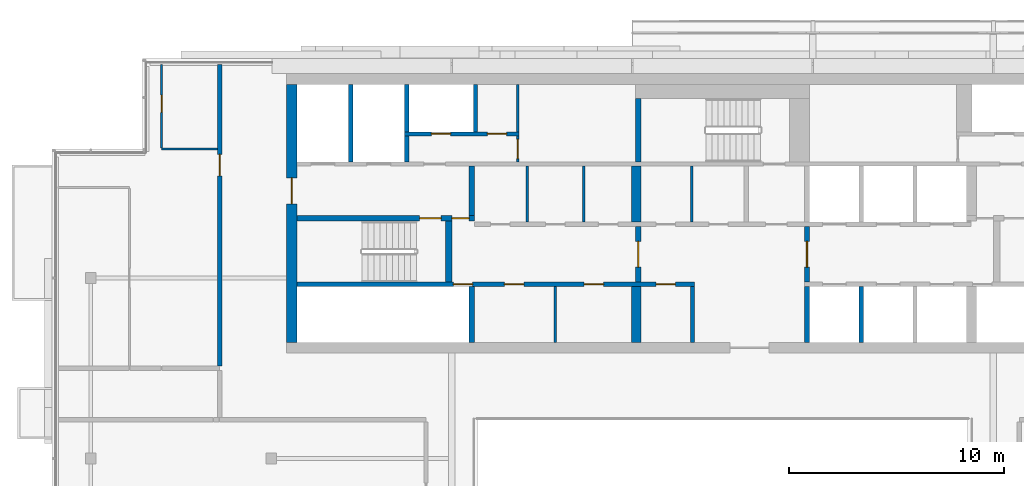
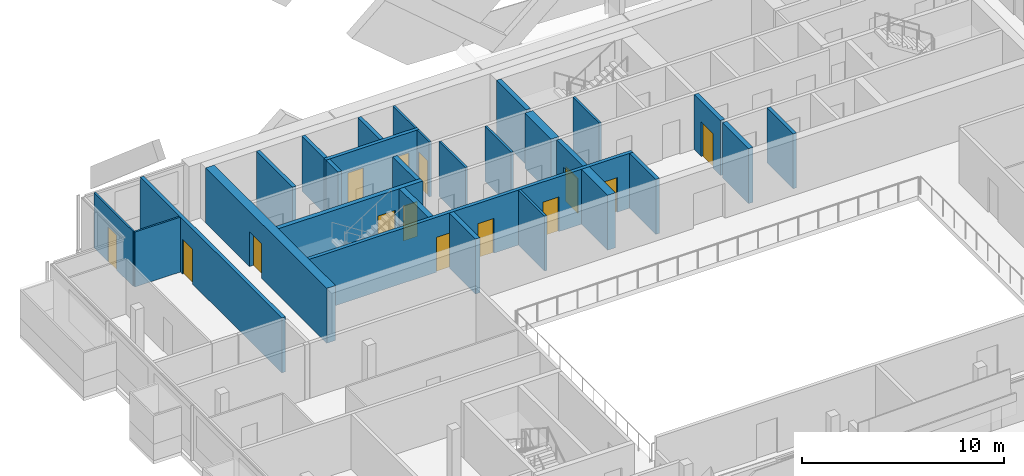
# One storey, part 13 of 22: 28 walls, 14 doors, 14 openings.
"""IFC4 building model written with IfcOpenShell, lengths in metres."""

from ifc_helpers import new_model, si_unit, direction, frame, frame_2d, origin, place, context, subcontext, project, spatial, rectangle, extrude, material, layer, layer_set, type_object, element, fill, save


model = new_model("IFC4")

# Units and contexts
model_context = context("Model", 3, precision=1e-05, world=origin(), true_north=direction((0.0, 1.0)))
body_context = subcontext(model_context, "Body", "Model", "MODEL_VIEW")
ifc_project = project(units=[si_unit("LENGTHUNIT", "METRE"), si_unit("AREAUNIT", "SQUARE_METRE"), si_unit("VOLUMEUNIT", "CUBIC_METRE"), si_unit("PLANEANGLEUNIT", "RADIAN"), si_unit("MASSUNIT", "GRAM", prefix="KILO")], contexts=[model_context])

# Site, building, storey
site_placement = place(None, origin())
site = spatial("IfcSite", under=ifc_project, at=site_placement, CompositionType="ELEMENT")
building_placement = place(site_placement, origin())
building = spatial("IfcBuilding", under=site, at=building_placement, Name="Saffron Gate Tower", CompositionType="ELEMENT")
storey_placement = place(building_placement, frame((0.0, 0.0, 285.14990234375)))
storey = spatial("IfcBuildingStorey", under=building, at=storey_placement, Name="L69", CompositionType="ELEMENT", Elevation=285.14990234375)

# Wall
ifc_material_1 = material(Name="Gypsum board partition on steel studs", Category="steel")
ifc_layer_1 = layer(ifc_material_1, 0.199951171875)
ifc_layer_set_1 = layer_set([ifc_layer_1], Name="CW10 Core partition 200")
wall_type_1 = type_object("IfcWallType", Name="CW10 Core partition 200", PredefinedType="PARTITIONING", material=ifc_layer_set_1)
wall_1_placement = place(storey_placement, frame((86.199951171875, 62.39990234375, 0.0), z_axis=(0.0, 0.0, 1.0), x_axis=(0.0, 1.0, 0.0)))
element("IfcWall", 1, at=wall_1_placement, inside=storey, type_object=wall_type_1, Name="Wall CW10-L69-8", PredefinedType="PARTITIONING", context=body_context, shape_type="SweptSolid", body=[
    extrude(rectangle(XDim=2.60009765625, YDim=0.199951171875, at=frame_2d((1.300048828125, 0.0))), origin(), (0.0, 0.0, 1.0), 3.320068359375),
])

# Wall, opening, door
ifc_material_2 = material(Name="Concrete C50", Category="concrete")
ifc_layer_2 = layer(ifc_material_2, 0.5)
ifc_layer_set_2 = layer_set([ifc_layer_2], Name="CW22 RC core wall 500 C50")
wall_type_2 = type_object("IfcWallType", Name="CW22 RC core wall 500 C50", PredefinedType="SOLIDWALL", material=ifc_layer_set_2)
wall_2_placement = place(storey_placement, frame((67.550048828125, 62.39990234375, 0.0), z_axis=(0.0, 0.0, 1.0), x_axis=(0.0, 1.0, 0.0)))
wall_2 = element("IfcWall", 2, at=wall_2_placement, inside=storey, type_object=wall_type_2, Name="Wall CW22-L69-3", PredefinedType="SOLIDWALL", context=body_context, shape_type="SweptSolid", body=[
    extrude(rectangle(XDim=12.0, YDim=0.5, at=frame_2d((6.0, 0.0))), origin(), (0.0, 0.0, 1.0), 3.320068359375),
])
opening_1_placement = place(wall_2_placement, frame((6.449951171875, 0.0, 0.0)))
opening_1 = element("IfcOpeningElement", 3, at=opening_1_placement, cuts=wall_2, Name="Opening CR-10", PredefinedType="OPENING", context=body_context, shape_type="SweptSolid", body=[
    extrude(rectangle(XDim=1.199951171875, YDim=2.10009765625, at=frame_2d((0.60009765625, 1.050048828125))), frame((0.0, 0.260009765625, 0.0), z_axis=(0.0, -1.0, 0.0), x_axis=(1.0, 0.0, 0.0)), (0.0, 0.0, 1.0), 0.52001953125),
])
ifc_material_3 = material(Name="Steel fire door set", Category="steel")
door_type_1 = type_object("IfcDoorType", Name="CD7 Core entrance door 1200x2100 EI 120", OperationType="NOTDEFINED", PredefinedType="DOOR", material=ifc_material_3)
door_1_placement = place(opening_1_placement, origin())
door_1 = element("IfcDoor", 4, at=door_1_placement, inside=storey, type_object=door_type_1, Name="DOOR CR-10", OperationType="SINGLE_SWING_LEFT", OverallHeight=2.10009765625, OverallWidth=1.199951171875, PredefinedType="DOOR", context=body_context, shape_type="SweptSolid", body=[
    extrude(rectangle(XDim=1.199951171875, YDim=2.10009765625, at=frame_2d((0.60009765625, 1.050048828125))), frame((0.0, 0.02490234375, 0.0), z_axis=(0.0, -1.0, 0.0), x_axis=(1.0, 0.0, 0.0)), (0.0, 0.0, 1.0), 0.050048828125),
])
fill(opening_1, door_1)

# Walls
ifc_layer_3 = layer(ifc_material_2, 0.25)
ifc_layer_set_3 = layer_set([ifc_layer_3], Name="CW23 RC core wall 250 C50")
wall_type_3 = type_object("IfcWallType", Name="CW23 RC core wall 250 C50", PredefinedType="SOLIDWALL", material=ifc_layer_set_3)
for number, where, z_axis, x_axis, name in (
    (5, (75.925048828125, 62.39990234375, 0.0), (0.0, 0.0, 1.0), (0.0, 1.0, 0.0), "Wall CW23-L69-5"),
    (6, (91.52490234375, 62.39990234375, 0.0), (0.0, 0.0, 1.0), (0.0, 1.0, 0.0), "Wall CW23-L69-9"),
):
    element("IfcWall", number, at=place(storey_placement, frame(where, z_axis=z_axis, x_axis=x_axis)), inside=storey, type_object=wall_type_3, Name=name, PredefinedType="SOLIDWALL", context=body_context, shape_type="SweptSolid", body=[
        extrude(rectangle(XDim=2.60009765625, YDim=0.25, at=frame_2d((1.300048828125, 0.0))), origin(), (0.0, 0.0, 1.0), 3.320068359375),
    ])

# Wall, opening, door
wall_3_placement = place(storey_placement, frame((83.675048828125, 65.199951171875, 0.0), z_axis=(0.0, 0.0, 1.0), x_axis=(0.0, 1.0, 0.0)))
wall_3 = element("IfcWall", 7, at=wall_3_placement, inside=storey, type_object=wall_type_3, Name="Wall CW23-L69-16", PredefinedType="SOLIDWALL", context=body_context, shape_type="SweptSolid", body=[
    extrude(rectangle(XDim=2.60009765625, YDim=0.25, at=frame_2d((1.300048828125, 0.0))), origin(), (0.0, 0.0, 1.0), 3.320068359375),
])
opening_2_placement = place(wall_3_placement, frame((0.699951171875, 0.0, 0.0)))
opening_2 = element("IfcOpeningElement", 8, at=opening_2_placement, cuts=wall_3, Name="Opening CR-07", PredefinedType="OPENING", context=body_context, shape_type="SweptSolid", body=[
    extrude(rectangle(XDim=1.199951171875, YDim=2.10009765625, at=frame_2d((0.60009765625, 1.050048828125))), frame((0.0, 0.135009765625, 0.0), z_axis=(0.0, -1.0, 0.0), x_axis=(1.0, 0.0, 0.0)), (0.0, 0.0, 1.0), 0.27001953125),
])
door_type_2 = type_object("IfcDoorType", Name="CD3 Lobby door 1200x2100 EI 120", OperationType="NOTDEFINED", PredefinedType="DOOR", material=ifc_material_3)
door_2_placement = place(opening_2_placement, origin())
door_2 = element("IfcDoor", 9, at=door_2_placement, inside=storey, type_object=door_type_2, Name="DOOR CR-07", OperationType="SINGLE_SWING_RIGHT", OverallHeight=2.10009765625, OverallWidth=1.199951171875, PredefinedType="DOOR", context=body_context, shape_type="SweptSolid", body=[
    extrude(rectangle(XDim=1.199951171875, YDim=2.10009765625, at=frame_2d((0.60009765625, 1.050048828125))), frame((0.0, 0.02490234375, 0.0), z_axis=(0.0, -1.0, 0.0), x_axis=(1.0, 0.0, 0.0)), (0.0, 0.0, 1.0), 0.050048828125),
])
fill(opening_2, door_2)

wall_4_placement = place(storey_placement, frame((91.52490234375, 65.199951171875, 0.0), z_axis=(0.0, 0.0, 1.0), x_axis=(0.0, 1.0, 0.0)))
wall_4 = element("IfcWall", 10, at=wall_4_placement, inside=storey, type_object=wall_type_3, Name="Wall CW23-L69-17", PredefinedType="SOLIDWALL", context=body_context, shape_type="SweptSolid", body=[
    extrude(rectangle(XDim=2.60009765625, YDim=0.25, at=frame_2d((1.300048828125, 0.0))), origin(), (0.0, 0.0, 1.0), 3.320068359375),
])
opening_3_placement = place(wall_4_placement, frame((0.699951171875, 0.0, 0.0)))
opening_3 = element("IfcOpeningElement", 11, at=opening_3_placement, cuts=wall_4, Name="Opening CR-01", PredefinedType="OPENING", context=body_context, shape_type="SweptSolid", body=[
    extrude(rectangle(XDim=1.199951171875, YDim=2.10009765625, at=frame_2d((0.60009765625, 1.050048828125))), frame((0.0, 0.135009765625, 0.0), z_axis=(0.0, -1.0, 0.0), x_axis=(1.0, 0.0, 0.0)), (0.0, 0.0, 1.0), 0.27001953125),
])
door_3_placement = place(opening_3_placement, origin())
door_3 = element("IfcDoor", 12, at=door_3_placement, inside=storey, type_object=door_type_2, Name="DOOR CR-01", OperationType="SINGLE_SWING_RIGHT", OverallHeight=2.10009765625, OverallWidth=1.199951171875, PredefinedType="DOOR", context=body_context, shape_type="SweptSolid", body=[
    extrude(rectangle(XDim=1.199951171875, YDim=2.10009765625, at=frame_2d((0.60009765625, 1.050048828125))), frame((0.0, 0.02490234375, 0.0), z_axis=(0.0, -1.0, 0.0), x_axis=(1.0, 0.0, 0.0)), (0.0, 0.0, 1.0), 0.050048828125),
])
fill(opening_3, door_3)

# Wall, openings, doors
wall_5_placement = place(storey_placement, frame((67.800048828125, 68.175048828125, 0.0), z_axis=(0.0, 0.0, 1.0), x_axis=(1.0, 0.0, 0.0)))
wall_5 = element("IfcWall", 13, at=wall_5_placement, inside=storey, type_object=wall_type_3, Name="Wall CW23-L69-29", PredefinedType="SOLIDWALL", context=body_context, shape_type="SweptSolid", body=[
    extrude(rectangle(XDim=8.25, YDim=0.25, at=frame_2d((4.125, 0.0))), origin(), (0.0, 0.0, 1.0), 3.320068359375),
])
opening_4_placement = place(wall_5_placement, frame((5.699951171875, 0.0, 0.0)))
opening_4 = element("IfcOpeningElement", 14, at=opening_4_placement, cuts=wall_5, Name="Opening CR-15", PredefinedType="OPENING", context=body_context, shape_type="SweptSolid", body=[
    extrude(rectangle(XDim=1.0, YDim=2.10009765625, at=frame_2d((0.5, 1.050048828125))), frame((0.0, 0.135009765625, 0.0), z_axis=(0.0, -1.0, 0.0), x_axis=(1.0, 0.0, 0.0)), (0.0, 0.0, 1.0), 0.27001953125),
])
opening_5_placement = place(wall_5_placement, frame((7.199951171875, 0.0, 0.0)))
opening_5 = element("IfcOpeningElement", 15, at=opening_5_placement, cuts=wall_5, Name="Opening CR-06", PredefinedType="OPENING", context=body_context, shape_type="SweptSolid", body=[
    extrude(rectangle(XDim=0.800048828125, YDim=2.10009765625, at=frame_2d((0.39990234375, 1.050048828125))), frame((0.0, 0.135009765625, 0.0), z_axis=(0.0, -1.0, 0.0), x_axis=(1.0, 0.0, 0.0)), (0.0, 0.0, 1.0), 0.27001953125),
])
door_type_3 = type_object("IfcDoorType", Name="CD5 Stair door 1000x2100 EI 120", OperationType="NOTDEFINED", PredefinedType="DOOR", material=ifc_material_3)
door_4_placement = place(opening_4_placement, origin())
door_4 = element("IfcDoor", 16, at=door_4_placement, inside=storey, type_object=door_type_3, Name="DOOR CR-15", OperationType="SINGLE_SWING_RIGHT", OverallHeight=2.10009765625, OverallWidth=1.0, PredefinedType="DOOR", context=body_context, shape_type="SweptSolid", body=[
    extrude(rectangle(XDim=1.0, YDim=2.10009765625, at=frame_2d((0.5, 1.050048828125))), frame((0.0, 0.02490234375, 0.0), z_axis=(0.0, -1.0, 0.0), x_axis=(1.0, 0.0, 0.0)), (0.0, 0.0, 1.0), 0.050048828125),
])
fill(opening_4, door_4)
door_type_4 = type_object("IfcDoorType", Name="CD6 Lobby door 800x2100 EI 120", OperationType="NOTDEFINED", PredefinedType="DOOR", material=ifc_material_3)
door_5_placement = place(opening_5_placement, origin())
door_5 = element("IfcDoor", 17, at=door_5_placement, inside=storey, type_object=door_type_4, Name="DOOR CR-06", OperationType="SINGLE_SWING_LEFT", OverallHeight=2.10009765625, OverallWidth=0.800048828125, PredefinedType="DOOR", context=body_context, shape_type="SweptSolid", body=[
    extrude(rectangle(XDim=0.800048828125, YDim=2.10009765625, at=frame_2d((0.39990234375, 1.050048828125))), frame((0.0, 0.02490234375, 0.0), z_axis=(0.0, -1.0, 0.0), x_axis=(1.0, 0.0, 0.0)), (0.0, 0.0, 1.0), 0.050048828125),
])
fill(opening_5, door_5)

# Walls
wall_6_placement = place(storey_placement, frame((75.925048828125, 68.300048828125, 0.0), z_axis=(0.0, 0.0, 1.0), x_axis=(0.0, 1.0, 0.0)))
element("IfcWall", 18, at=wall_6_placement, inside=storey, type_object=wall_type_3, Name="Wall CW23-L69-31", PredefinedType="SOLIDWALL", context=body_context, shape_type="SweptSolid", body=[
    extrude(rectangle(XDim=2.300048828125, YDim=0.25, at=frame_2d((1.14990234375, 0.0))), origin(), (0.0, 0.0, 1.0), 3.320068359375),
])
wall_7_placement = place(storey_placement, frame((83.675048828125, 70.800048828125, 0.0), z_axis=(0.0, 0.0, 1.0), x_axis=(0.0, 1.0, 0.0)))
element("IfcWall", 19, at=wall_7_placement, inside=storey, type_object=wall_type_3, Name="Wall CW23-L69-37", PredefinedType="SOLIDWALL", context=body_context, shape_type="SweptSolid", body=[
    extrude(rectangle(XDim=2.949951171875, YDim=0.25, at=frame_2d((1.47509765625, 0.0))), origin(), (0.0, 0.0, 1.0), 3.320068359375),
])
ifc_layer_4 = layer(ifc_material_2, 0.449951171875)
ifc_layer_set_4 = layer_set([ifc_layer_4], Name="CW24 RC core wall 450 C50")
wall_type_4 = type_object("IfcWallType", Name="CW24 RC core wall 450 C50", PredefinedType="SOLIDWALL", material=ifc_layer_set_4)
for number, where, z_axis, x_axis, name in (
    (20, (83.574951171875, 62.39990234375, 0.0), (0.0, 0.0, 1.0), (0.0, 1.0, 0.0), "Wall CW24-L69-7"),
    (21, (83.574951171875, 68.0, 0.0), (0.0, 0.0, 1.0), (0.0, 1.0, 0.0), "Wall CW24-L69-22"),
):
    element("IfcWall", number, at=place(storey_placement, frame(where, z_axis=z_axis, x_axis=x_axis)), inside=storey, type_object=wall_type_4, Name=name, PredefinedType="SOLIDWALL", context=body_context, shape_type="SweptSolid", body=[
        extrude(rectangle(XDim=2.60009765625, YDim=0.449951171875, at=frame_2d((1.300048828125, 0.0))), origin(), (0.0, 0.0, 1.0), 3.320068359375),
    ])
ifc_layer_5 = layer(ifc_material_2, 0.199951171875)
ifc_layer_set_5 = layer_set([ifc_layer_5], Name="CW25 RC core wall 200 C50")
wall_type_5 = type_object("IfcWallType", Name="CW25 RC core wall 200 C50", PredefinedType="SOLIDWALL", material=ifc_layer_set_5)
wall_8_placement = place(storey_placement, frame((94.050048828125, 62.39990234375, 0.0), z_axis=(0.0, 0.0, 1.0), x_axis=(0.0, 1.0, 0.0)))
element("IfcWall", 22, at=wall_8_placement, inside=storey, type_object=wall_type_5, Name="Wall CW25-L69-10", PredefinedType="SOLIDWALL", context=body_context, shape_type="SweptSolid", body=[
    extrude(rectangle(XDim=2.60009765625, YDim=0.199951171875, at=frame_2d((1.300048828125, 0.0))), origin(), (0.0, 0.0, 1.0), 3.320068359375),
])

# Wall, openings, doors
wall_9_placement = place(storey_placement, frame((67.800048828125, 65.10009765625, 0.0), z_axis=(0.0, 0.0, 1.0), x_axis=(1.0, 0.0, 0.0)))
wall_9 = element("IfcWall", 23, at=wall_9_placement, inside=storey, type_object=wall_type_5, Name="Wall CW25-L69-13", PredefinedType="SOLIDWALL", context=body_context, shape_type="SweptSolid", body=[
    extrude(rectangle(XDim=18.5, YDim=0.199951171875, at=frame_2d((9.25, 0.0))), origin(), (0.0, 0.0, 1.0), 3.320068359375),
])
opening_6_placement = place(wall_9_placement, frame((7.27001953125, 0.0, 0.0)))
opening_6 = element("IfcOpeningElement", 24, at=opening_6_placement, cuts=wall_9, Name="Opening CR-49", PredefinedType="OPENING", context=body_context, shape_type="SweptSolid", body=[
    extrude(rectangle(XDim=0.89990234375, YDim=2.10009765625, at=frame_2d((0.449951171875, 1.050048828125))), frame((0.0, 0.10986328125, 0.0), z_axis=(0.0, -1.0, 0.0), x_axis=(1.0, 0.0, 0.0)), (0.0, 0.0, 1.0), 0.219970703125),
])
opening_7_placement = place(wall_9_placement, frame((9.64990234375, 0.0, 0.0)))
opening_7 = element("IfcOpeningElement", 25, at=opening_7_placement, cuts=wall_9, Name="Opening CR-64", PredefinedType="OPENING", context=body_context, shape_type="SweptSolid", body=[
    extrude(rectangle(XDim=0.89990234375, YDim=2.10009765625, at=frame_2d((0.449951171875, 1.050048828125))), frame((0.0, 0.10986328125, 0.0), z_axis=(0.0, -1.0, 0.0), x_axis=(1.0, 0.0, 0.0)), (0.0, 0.0, 1.0), 0.219970703125),
])
opening_8_placement = place(wall_9_placement, frame((13.360107421875, 0.0, 0.0)))
opening_8 = element("IfcOpeningElement", 26, at=opening_8_placement, cuts=wall_9, Name="Opening CR-65", PredefinedType="OPENING", context=body_context, shape_type="SweptSolid", body=[
    extrude(rectangle(XDim=0.89990234375, YDim=2.10009765625, at=frame_2d((0.449951171875, 1.050048828125))), frame((0.0, 0.10986328125, 0.0), z_axis=(0.0, -1.0, 0.0), x_axis=(1.0, 0.0, 0.0)), (0.0, 0.0, 1.0), 0.219970703125),
])
opening_9_placement = place(wall_9_placement, frame((16.699951171875, 0.0, 0.0)))
opening_9 = element("IfcOpeningElement", 27, at=opening_9_placement, cuts=wall_9, Name="Opening CR-69", PredefinedType="OPENING", context=body_context, shape_type="SweptSolid", body=[
    extrude(rectangle(XDim=0.89990234375, YDim=2.10009765625, at=frame_2d((0.449951171875, 1.050048828125))), frame((0.0, 0.10986328125, 0.0), z_axis=(0.0, -1.0, 0.0), x_axis=(1.0, 0.0, 0.0)), (0.0, 0.0, 1.0), 0.219970703125),
])
door_type_5 = type_object("IfcDoorType", Name="CD2 Riser door 900x2100 EI 60", OperationType="NOTDEFINED", PredefinedType="DOOR", material=ifc_material_3)
door_6_placement = place(opening_6_placement, origin())
door_6 = element("IfcDoor", 28, at=door_6_placement, inside=storey, type_object=door_type_5, Name="DOOR CR-49", OperationType="SINGLE_SWING_LEFT", OverallHeight=2.10009765625, OverallWidth=0.89990234375, PredefinedType="DOOR", context=body_context, shape_type="SweptSolid", body=[
    extrude(rectangle(XDim=0.89990234375, YDim=2.10009765625, at=frame_2d((0.449951171875, 1.050048828125))), frame((0.0, 0.02490234375, 0.0), z_axis=(0.0, -1.0, 0.0), x_axis=(1.0, 0.0, 0.0)), (0.0, 0.0, 1.0), 0.050048828125),
])
fill(opening_6, door_6)
door_type_6 = type_object("IfcDoorType", Name="CD9 Room door 900x2100 EI 60", OperationType="NOTDEFINED", PredefinedType="DOOR", material=ifc_material_3)
door_7_placement = place(opening_7_placement, origin())
door_7 = element("IfcDoor", 29, at=door_7_placement, inside=storey, type_object=door_type_6, Name="DOOR CR-64", OperationType="SINGLE_SWING_RIGHT", OverallHeight=2.10009765625, OverallWidth=0.89990234375, PredefinedType="DOOR", context=body_context, shape_type="SweptSolid", body=[
    extrude(rectangle(XDim=0.89990234375, YDim=2.10009765625, at=frame_2d((0.449951171875, 1.050048828125))), frame((0.0, 0.02490234375, 0.0), z_axis=(0.0, -1.0, 0.0), x_axis=(1.0, 0.0, 0.0)), (0.0, 0.0, 1.0), 0.050048828125),
])
fill(opening_7, door_7)
door_8_placement = place(opening_8_placement, origin())
door_8 = element("IfcDoor", 30, at=door_8_placement, inside=storey, type_object=door_type_6, Name="DOOR CR-65", OperationType="SINGLE_SWING_RIGHT", OverallHeight=2.10009765625, OverallWidth=0.89990234375, PredefinedType="DOOR", context=body_context, shape_type="SweptSolid", body=[
    extrude(rectangle(XDim=0.89990234375, YDim=2.10009765625, at=frame_2d((0.449951171875, 1.050048828125))), frame((0.0, 0.02490234375, 0.0), z_axis=(0.0, -1.0, 0.0), x_axis=(1.0, 0.0, 0.0)), (0.0, 0.0, 1.0), 0.050048828125),
])
fill(opening_8, door_8)
door_9_placement = place(opening_9_placement, origin())
door_9 = element("IfcDoor", 31, at=door_9_placement, inside=storey, type_object=door_type_6, Name="DOOR CR-69", OperationType="SINGLE_SWING_RIGHT", OverallHeight=2.10009765625, OverallWidth=0.89990234375, PredefinedType="DOOR", context=body_context, shape_type="SweptSolid", body=[
    extrude(rectangle(XDim=0.89990234375, YDim=2.10009765625, at=frame_2d((0.449951171875, 1.050048828125))), frame((0.0, 0.02490234375, 0.0), z_axis=(0.0, -1.0, 0.0), x_axis=(1.0, 0.0, 0.0)), (0.0, 0.0, 1.0), 0.050048828125),
])
fill(opening_9, door_9)

# Walls
wall_10_placement = place(storey_placement, frame((70.300048828125, 70.800048828125, 0.0), z_axis=(0.0, 0.0, 1.0), x_axis=(0.0, 1.0, 0.0)))
element("IfcWall", 32, at=wall_10_placement, inside=storey, type_object=wall_type_5, Name="Wall CW25-L69-34", PredefinedType="SOLIDWALL", context=body_context, shape_type="SweptSolid", body=[
    extrude(rectangle(XDim=3.599853515625, YDim=0.199951171875, at=frame_2d((1.7998046875, 0.0))), origin(), (0.0, 0.0, 1.0), 3.320068359375),
])
wall_11_placement = place(storey_placement, frame((72.89990234375, 70.800048828125, 0.0), z_axis=(0.0, 0.0, 1.0), x_axis=(0.0, 1.0, 0.0)))
element("IfcWall", 33, at=wall_11_placement, inside=storey, type_object=wall_type_5, Name="Wall CW25-L69-35", PredefinedType="SOLIDWALL", context=body_context, shape_type="SweptSolid", body=[
    extrude(rectangle(XDim=1.199951171875, YDim=0.199951171875, at=frame_2d((0.60009765625, 0.0))), origin(), (0.0, 0.0, 1.0), 3.320068359375),
])

# Wall, openings, doors
wall_12_placement = place(storey_placement, frame((72.800048828125, 72.10009765625, 0.0), z_axis=(0.0, 0.0, 1.0), x_axis=(1.0, 0.0, 0.0)))
wall_12 = element("IfcWall", 34, at=wall_12_placement, inside=storey, type_object=wall_type_5, Name="Wall CW25-L69-42", PredefinedType="SOLIDWALL", context=body_context, shape_type="SweptSolid", body=[
    extrude(rectangle(XDim=5.320068359375, YDim=0.199951171875, at=frame_2d((2.66015625, 0.0))), origin(), (0.0, 0.0, 1.0), 3.320068359375),
])
opening_10_placement = place(wall_12_placement, frame((1.25, 0.0, 0.0)))
opening_10 = element("IfcOpeningElement", 35, at=opening_10_placement, cuts=wall_12, Name="Opening CR-71", PredefinedType="OPENING", context=body_context, shape_type="SweptSolid", body=[
    extrude(rectangle(XDim=0.89990234375, YDim=2.10009765625, at=frame_2d((0.449951171875, 1.050048828125))), frame((0.0, 0.10986328125, 0.0), z_axis=(0.0, -1.0, 0.0), x_axis=(1.0, 0.0, 0.0)), (0.0, 0.0, 1.0), 0.219970703125),
])
opening_11_placement = place(wall_12_placement, frame((3.85009765625, 0.0, 0.0)))
opening_11 = element("IfcOpeningElement", 36, at=opening_11_placement, cuts=wall_12, Name="Opening CR-55", PredefinedType="OPENING", context=body_context, shape_type="SweptSolid", body=[
    extrude(rectangle(XDim=0.89990234375, YDim=2.10009765625, at=frame_2d((0.449951171875, 1.050048828125))), frame((0.0, 0.10986328125, 0.0), z_axis=(0.0, -1.0, 0.0), x_axis=(1.0, 0.0, 0.0)), (0.0, 0.0, 1.0), 0.219970703125),
])
door_10_placement = place(opening_10_placement, origin())
door_10 = element("IfcDoor", 37, at=door_10_placement, inside=storey, type_object=door_type_5, Name="DOOR CR-71", OperationType="SINGLE_SWING_LEFT", OverallHeight=2.10009765625, OverallWidth=0.89990234375, PredefinedType="DOOR", context=body_context, shape_type="SweptSolid", body=[
    extrude(rectangle(XDim=0.89990234375, YDim=2.10009765625, at=frame_2d((0.449951171875, 1.050048828125))), frame((0.0, 0.02490234375, 0.0), z_axis=(0.0, -1.0, 0.0), x_axis=(1.0, 0.0, 0.0)), (0.0, 0.0, 1.0), 0.050048828125),
])
fill(opening_10, door_10)
door_11_placement = place(opening_11_placement, origin())
door_11 = element("IfcDoor", 38, at=door_11_placement, inside=storey, type_object=door_type_6, Name="DOOR CR-55", OperationType="SINGLE_SWING_LEFT", OverallHeight=2.10009765625, OverallWidth=0.89990234375, PredefinedType="DOOR", context=body_context, shape_type="SweptSolid", body=[
    extrude(rectangle(XDim=0.89990234375, YDim=2.10009765625, at=frame_2d((0.449951171875, 1.050048828125))), frame((0.0, 0.02490234375, 0.0), z_axis=(0.0, -1.0, 0.0), x_axis=(1.0, 0.0, 0.0)), (0.0, 0.0, 1.0), 0.050048828125),
])
fill(opening_11, door_11)

# Walls
for number, where, z_axis, x_axis, name in (
    (39, (72.89990234375, 72.199951171875, 0.0), (0.0, 0.0, 1.0), (0.0, 1.0, 0.0), "Wall CW25-L69-44"),
    (40, (76.10009765625, 72.199951171875, 0.0), (0.0, 0.0, 1.0), (0.0, 1.0, 0.0), "Wall CW25-L69-45"),
):
    element("IfcWall", number, at=place(storey_placement, frame(where, z_axis=z_axis, x_axis=x_axis)), inside=storey, type_object=wall_type_5, Name=name, PredefinedType="SOLIDWALL", context=body_context, shape_type="SweptSolid", body=[
        extrude(rectangle(XDim=2.199951171875, YDim=0.199951171875, at=frame_2d((1.10009765625, 0.0))), origin(), (0.0, 0.0, 1.0), 3.320068359375),
    ])
ifc_layer_6 = layer(ifc_material_2, 0.300048828125)
ifc_layer_set_6 = layer_set([ifc_layer_6], Name="CW26 RC core wall 300 C50")
wall_type_6 = type_object("IfcWallType", Name="CW26 RC core wall 300 C50", PredefinedType="SOLIDWALL", material=ifc_layer_set_6)
wall_13_placement = place(storey_placement, frame((74.85009765625, 65.199951171875, 0.0), z_axis=(0.0, 0.0, 1.0), x_axis=(0.0, 1.0, 0.0)))
element("IfcWall", 41, at=wall_13_placement, inside=storey, type_object=wall_type_6, Name="Wall CW26-L69-15", PredefinedType="SOLIDWALL", context=body_context, shape_type="SweptSolid", body=[
    extrude(rectangle(XDim=2.85009765625, YDim=0.300048828125, at=frame_2d((1.425048828125, 0.0))), origin(), (0.0, 0.0, 1.0), 3.320068359375),
])
ifc_layer_7 = layer(ifc_material_1, 0.1201171875)
ifc_layer_set_7 = layer_set([ifc_layer_7], Name="CW8 Core partition 120")
wall_type_7 = type_object("IfcWallType", Name="CW8 Core partition 120", PredefinedType="PARTITIONING", material=ifc_layer_set_7)
for number, where, z_axis, x_axis, name in (
    (42, (79.81005859375, 62.39990234375, 0.0), (0.0, 0.0, 1.0), (0.0, 1.0, 0.0), "Wall CW8-L69-6"),
    (43, (78.510009765625, 68.0, 0.0), (0.0, 0.0, 1.0), (0.0, 1.0, 0.0), "Wall CW8-L69-20"),
    (44, (81.1298828125, 68.0, 0.0), (0.0, 0.0, 1.0), (0.0, 1.0, 0.0), "Wall CW8-L69-21"),
    (45, (86.159912109375, 68.0, 0.0), (0.0, 0.0, 1.0), (0.0, 1.0, 0.0), "Wall CW8-L69-23"),
):
    element("IfcWall", number, at=place(storey_placement, frame(where, z_axis=z_axis, x_axis=x_axis)), inside=storey, type_object=wall_type_7, Name=name, PredefinedType="PARTITIONING", context=body_context, shape_type="SweptSolid", body=[
        extrude(rectangle(XDim=2.60009765625, YDim=0.1201171875, at=frame_2d((1.300048828125, 0.0))), origin(), (0.0, 0.0, 1.0), 3.320068359375),
    ])

# Wall, opening, door
wall_14_placement = place(storey_placement, frame((78.06005859375, 70.800048828125, 0.0), z_axis=(0.0, 0.0, 1.0), x_axis=(0.0, 1.0, 0.0)))
wall_14 = element("IfcWall", 46, at=wall_14_placement, inside=storey, type_object=wall_type_7, Name="Wall CW8-L69-36", PredefinedType="PARTITIONING", context=body_context, shape_type="SweptSolid", body=[
    extrude(rectangle(XDim=1.199951171875, YDim=0.1201171875, at=frame_2d((0.60009765625, 0.0))), origin(), (0.0, 0.0, 1.0), 3.320068359375),
])
opening_12_placement = place(wall_14_placement, frame((0.14990234375, 0.0, 0.0)))
opening_12 = element("IfcOpeningElement", 47, at=opening_12_placement, cuts=wall_14, Name="Opening CR-60", PredefinedType="OPENING", context=body_context, shape_type="SweptSolid", body=[
    extrude(rectangle(XDim=0.89990234375, YDim=2.10009765625, at=frame_2d((0.449951171875, 1.050048828125))), frame((0.0, 0.070068359375, 0.0), z_axis=(0.0, -1.0, 0.0), x_axis=(1.0, 0.0, 0.0)), (0.0, 0.0, 1.0), 0.14013671875),
])
door_12_placement = place(opening_12_placement, origin())
door_12 = element("IfcDoor", 48, at=door_12_placement, inside=storey, type_object=door_type_6, Name="DOOR CR-60", OperationType="SINGLE_SWING_RIGHT", OverallHeight=2.10009765625, OverallWidth=0.89990234375, PredefinedType="DOOR", context=body_context, shape_type="SweptSolid", body=[
    extrude(rectangle(XDim=0.89990234375, YDim=2.10009765625, at=frame_2d((0.449951171875, 1.050048828125))), frame((0.0, 0.02490234375, 0.0), z_axis=(0.0, -1.0, 0.0), x_axis=(1.0, 0.0, 0.0)), (0.0, 0.0, 1.0), 0.050048828125),
])
fill(opening_12, door_12)

# Walls
wall_15_placement = place(storey_placement, frame((78.06005859375, 72.199951171875, 0.0), z_axis=(0.0, 0.0, 1.0), x_axis=(0.0, 1.0, 0.0)))
element("IfcWall", 49, at=wall_15_placement, inside=storey, type_object=wall_type_7, Name="Wall CW8-L69-46", PredefinedType="PARTITIONING", context=body_context, shape_type="SweptSolid", body=[
    extrude(rectangle(XDim=2.199951171875, YDim=0.1201171875, at=frame_2d((1.10009765625, 0.0))), origin(), (0.0, 0.0, 1.0), 3.320068359375),
])
ifc_material_4 = material(Name="Plasterboard on steel studs", Category="steel")
ifc_layer_8 = layer(ifc_material_4, 0.10009765625)
ifc_layer_set_8 = layer_set([ifc_layer_8], Name="PW1 Partition 100")
wall_type_8 = type_object("IfcWallType", Name="PW1 Partition 100", PredefinedType="PARTITIONING", material=ifc_layer_set_8)
wall_16_placement = place(storey_placement, frame((61.5, 71.39990234375, 0.0), z_axis=(0.0, 0.0, 1.0), x_axis=(1.0, 0.0, 0.0)))
element("IfcWall", 50, at=wall_16_placement, inside=storey, type_object=wall_type_8, Name="Partition E4-26", PredefinedType="PARTITIONING", context=body_context, shape_type="SweptSolid", body=[
    extrude(rectangle(XDim=2.60009765625, YDim=0.10009765625, at=frame_2d((1.300048828125, 0.0))), origin(), (0.0, 0.0, 1.0), 3.320068359375),
])

# Wall, opening, door
wall_17_placement = place(storey_placement, frame((61.5, 75.320068359375, 0.0), z_axis=(0.0, 0.0, 1.0), x_axis=(0.0, -1.0, 0.0)))
wall_17 = element("IfcWall", 51, at=wall_17_placement, inside=storey, type_object=wall_type_8, Name="Partition E4-30", PredefinedType="PARTITIONING", context=body_context, shape_type="SweptSolid", body=[
    extrude(rectangle(XDim=3.8701171875, YDim=0.10009765625, at=frame_2d((1.93505859375, 0.0))), origin(), (0.0, 0.0, 1.0), 3.320068359375),
])
opening_13_placement = place(wall_17_placement, frame((1.419921875, 0.0, 0.0)))
opening_13 = element("IfcOpeningElement", 52, at=opening_13_placement, cuts=wall_17, Name="Opening E4-10", PredefinedType="OPENING", context=body_context, shape_type="SweptSolid", body=[
    extrude(rectangle(XDim=0.800048828125, YDim=2.10009765625, at=frame_2d((0.39990234375, 1.050048828125))), frame((0.0, 0.06005859375, 0.0), z_axis=(0.0, -1.0, 0.0), x_axis=(1.0, 0.0, 0.0)), (0.0, 0.0, 1.0), 0.1201171875),
])
ifc_material_5 = material(Name="Timber door set", Category="wood")
door_type_7 = type_object("IfcDoorType", Name="RD2 Bathroom door 800x2100", OperationType="NOTDEFINED", PredefinedType="DOOR", material=ifc_material_5)
door_13_placement = place(opening_13_placement, origin())
door_13 = element("IfcDoor", 53, at=door_13_placement, inside=storey, type_object=door_type_7, Name="Door E4-10", OperationType="SINGLE_SWING_LEFT", OverallHeight=2.10009765625, OverallWidth=0.800048828125, PredefinedType="DOOR", context=body_context, shape_type="SweptSolid", body=[
    extrude(rectangle(XDim=0.800048828125, YDim=2.10009765625, at=frame_2d((0.39990234375, 1.050048828125))), frame((0.0, 0.02490234375, 0.0), z_axis=(0.0, -1.0, 0.0), x_axis=(1.0, 0.0, 0.0)), (0.0, 0.0, 1.0), 0.050048828125),
])
fill(opening_13, door_13)

ifc_material_6 = material(Name="Clay brick masonry, rendered", Category="masonry")
ifc_layer_9 = layer(ifc_material_6, 0.199951171875)
ifc_layer_set_9 = layer_set([ifc_layer_9], Name="PW3 Corridor wall 200")
wall_type_9 = type_object("IfcWallType", Name="PW3 Corridor wall 200", PredefinedType="PARTITIONING", material=ifc_layer_set_9)
wall_18_placement = place(storey_placement, frame((64.199951171875, 61.300048828125, 0.0), z_axis=(0.0, 0.0, 1.0), x_axis=(0.0, 1.0, 0.0)))
wall_18 = element("IfcWall", 54, at=wall_18_placement, inside=storey, type_object=wall_type_9, Name="Wall E4-33", PredefinedType="PARTITIONING", context=body_context, shape_type="SweptSolid", body=[
    extrude(rectangle(XDim=14.02001953125, YDim=0.199951171875, at=frame_2d((7.010009765625, 0.0))), origin(), (0.0, 0.0, 1.0), 3.320068359375),
])
opening_14_placement = place(wall_18_placement, frame((8.85009765625, 0.0, 0.0)))
opening_14 = element("IfcOpeningElement", 55, at=opening_14_placement, cuts=wall_18, Name="Opening E4-2", PredefinedType="OPENING", context=body_context, shape_type="SweptSolid", body=[
    extrude(rectangle(XDim=1.0, YDim=2.10009765625, at=frame_2d((0.5, 1.050048828125))), frame((0.0, 0.10986328125, 0.0), z_axis=(0.0, -1.0, 0.0), x_axis=(1.0, 0.0, 0.0)), (0.0, 0.0, 1.0), 0.219970703125),
])
ifc_material_7 = material(Name="Timber fire door set", Category="wood")
door_type_8 = type_object("IfcDoorType", Name="FD1 Flat entry door 1000x2100", OperationType="NOTDEFINED", PredefinedType="DOOR", material=ifc_material_7)
door_14_placement = place(opening_14_placement, origin())
door_14 = element("IfcDoor", 56, at=door_14_placement, inside=storey, type_object=door_type_8, Name="Door E4-2", OperationType="SINGLE_SWING_LEFT", OverallHeight=2.10009765625, OverallWidth=1.0, PredefinedType="DOOR", context=body_context, shape_type="SweptSolid", body=[
    extrude(rectangle(XDim=1.0, YDim=2.10009765625, at=frame_2d((0.5, 1.050048828125))), frame((0.0, 0.02490234375, 0.0), z_axis=(0.0, -1.0, 0.0), x_axis=(1.0, 0.0, 0.0)), (0.0, 0.0, 1.0), 0.050048828125),
])
fill(opening_14, door_14)

save(model, "model.ifc")
